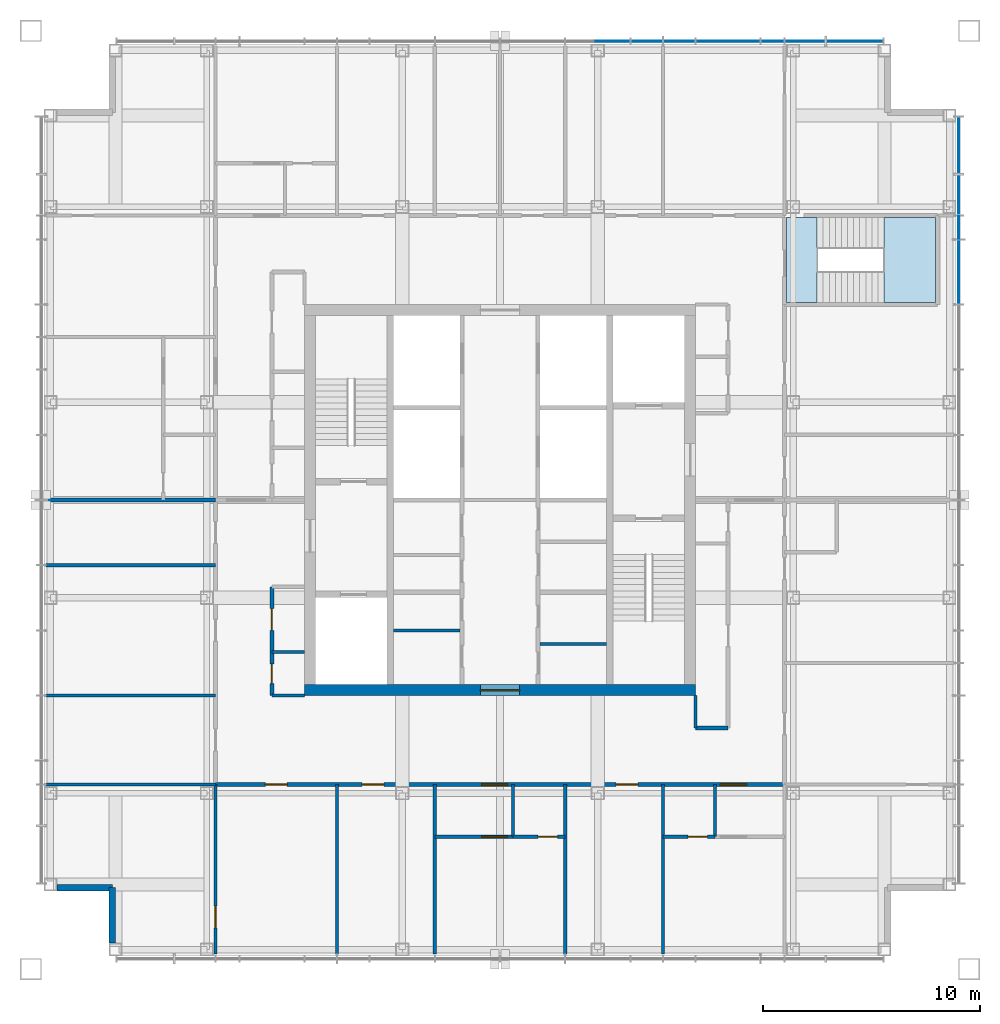
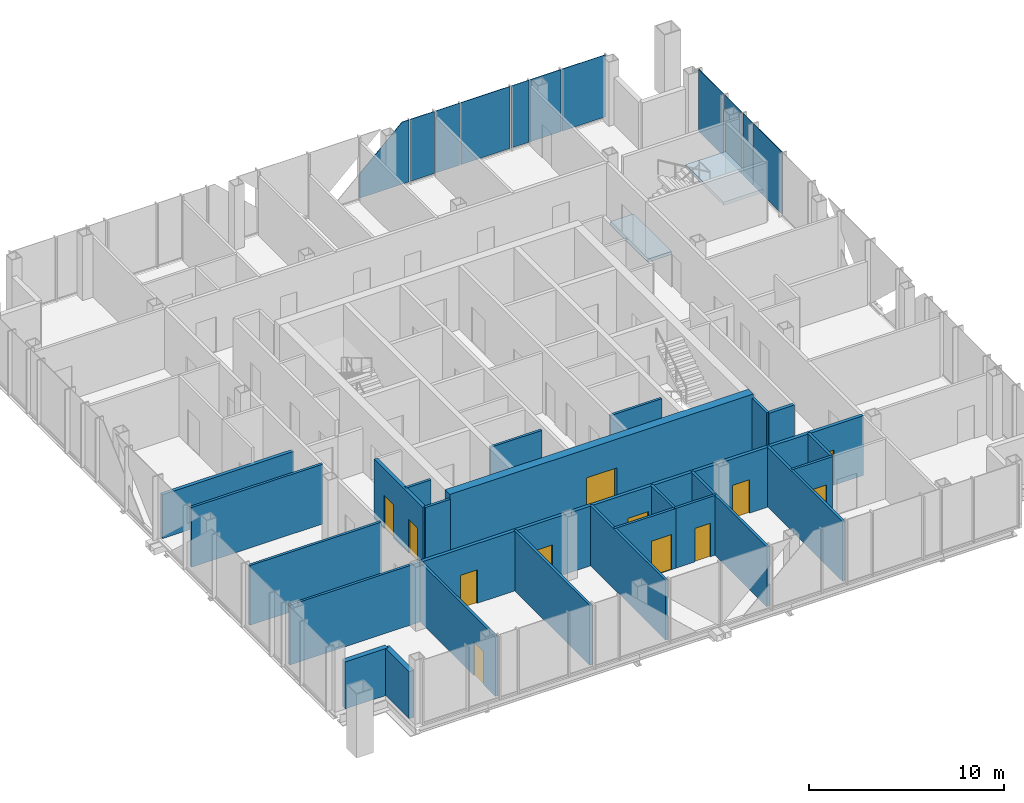
# One storey, part 7 of 12: 25 walls, 12 doors, 11 plates, 2 slabs, 12 openings, 3 elements without a shape of their own.
"""IFC4 building model written with IfcOpenShell, lengths in metres."""

import ifcopenshell
import ifcopenshell.guid

model = None  # the IFC model being written
_history = None  # IfcOwnerHistory: only IFC2X3 demands one
_inside = {}  # id of a spatial element -> (the spatial element, [elements in it])
_under = {}  # id of a project, library or spatial element -> (it, [spatial elements below it])
_declared = {}  # id of a project -> (the project, [libraries it declares])
_typed = {}  # id of a type object -> (the type object, [elements of that type])
_made_of = {}  # id of a material, layer set ... -> (it, [elements and type objects made of it])


def new_model(schema):
    """Start an empty IFC model of exactly this schema.

    Asked for "IFC4X3", IfcOpenShell would pick the latest addendum, in which some entities
    have other attributes; the version numbers below select the first issue.
    IFC2X3 requires an IfcOwnerHistory on every rooted entity: one is made here for all.
    """
    global model, _history
    if schema == "IFC4X3":
        model = ifcopenshell.file(schema_version=(4, 3, 0, 0))
    else:
        model = ifcopenshell.file(schema=schema)
    _inside.clear()
    _under.clear()
    _declared.clear()
    _typed.clear()
    _made_of.clear()
    _history = None
    if model.schema == "IFC2X3":
        org = make("IfcOrganization", Name="unknown")
        user = make(
            "IfcPersonAndOrganization",
            ThePerson=make("IfcPerson", FamilyName="unknown"),
            TheOrganization=org,
        )
        app = make(
            "IfcApplication",
            ApplicationDeveloper=org,
            Version="unknown",
            ApplicationFullName="unknown",
            ApplicationIdentifier="unknown",
        )
        _history = make(
            "IfcOwnerHistory",
            OwningUser=user,
            OwningApplication=app,
            ChangeAction="ADDED",
            CreationDate=0,
        )
    return model


def make(cls, **values):
    """One entity of the class cls with the attributes given. An attribute that is None is left unset."""
    return model.create_entity(
        cls, **{name: value for name, value in values.items() if value is not None}
    )


def rooted(cls, **values):
    """An entity with a GlobalId (a new one), such as an element, a storey or a relation."""
    return make(cls, GlobalId=ifcopenshell.guid.new(), OwnerHistory=_history, **values)


def si_unit(unit_type, name, prefix=None):
    """IfcSIUnit, for example si_unit("LENGTHUNIT", "METRE", prefix="MILLI")."""
    return make("IfcSIUnit", UnitType=unit_type, Prefix=prefix, Name=name)


def assignment(units):
    """IfcUnitAssignment: the units of a project."""
    return None if units is None else make("IfcUnitAssignment", Units=units)


def point(xyz):
    """IfcCartesianPoint."""
    return None if xyz is None else make("IfcCartesianPoint", Coordinates=xyz)


def direction(xyz):
    """IfcDirection."""
    return None if xyz is None else make("IfcDirection", DirectionRatios=xyz)


def frame(location, z_axis=None, x_axis=None):
    """IfcAxis2Placement3D, a coordinate frame: its origin and axes. An axis left out is left unset."""
    return make(
        "IfcAxis2Placement3D",
        Location=point(location),
        Axis=direction(z_axis),
        RefDirection=direction(x_axis),
    )


def frame_2d(location, x_axis=None):
    """IfcAxis2Placement2D, a coordinate frame in the plane: its origin and x axis."""
    return make(
        "IfcAxis2Placement2D", Location=point(location), RefDirection=direction(x_axis)
    )


def origin():
    """The frame at (0, 0, 0) with its axes left unset."""
    return frame((0.0, 0.0, 0.0))


def origin_2d():
    """The frame at (0, 0) in the plane with its x axis left unset."""
    return frame_2d((0.0, 0.0))


def place(relative_to, where):
    """IfcLocalPlacement: puts the frame where relative to a parent placement (None: the world)."""
    return make(
        "IfcLocalPlacement", PlacementRelTo=relative_to, RelativePlacement=where
    )


def context(
    kind, dimensions, precision=None, world=None, true_north=None, identifier=None
):
    """IfcGeometricRepresentationContext, for example the 3D "Model" context."""
    return make(
        "IfcGeometricRepresentationContext",
        ContextIdentifier=identifier,
        ContextType=kind,
        CoordinateSpaceDimension=dimensions,
        Precision=precision,
        WorldCoordinateSystem=world,
        TrueNorth=true_north,
    )


def subcontext(parent, identifier, kind, view, scale=None):
    """IfcGeometricRepresentationSubContext, for example "Body" below "Model"."""
    return make(
        "IfcGeometricRepresentationSubContext",
        ContextIdentifier=identifier,
        ContextType=kind,
        ParentContext=parent,
        TargetScale=scale,
        TargetView=view,
    )


def project(units=None, contexts=None):
    """IfcProject with its units and contexts."""
    return rooted(
        "IfcProject",
        Name="project",
        RepresentationContexts=contexts,
        UnitsInContext=assignment(units),
    )


def spatial(cls, under=None, at=None, **own):
    """A site, building, storey or space (cls), placed at a placement, below another one or the project."""
    s = rooted(cls, ObjectPlacement=at, **own)
    if under is not None:
        _under.setdefault(under.id(), (under, []))[1].append(s)
    return s


def polyline(points):
    """IfcPolyline through the points."""
    return make("IfcPolyline", Points=[point(p) for p in points])


def profile(cls, at=None, kind="AREA", **sizes):
    """A parametric profile (cls). Its sizes go by their IFC names, for example OverallWidth=200.0."""
    return make(cls, ProfileType=kind, Position=at, **sizes)


def rectangle(**sizes):
    """IfcRectangleProfileDef."""
    return profile("IfcRectangleProfileDef", **sizes)


def outline(outer, holes=None, kind="AREA"):
    """IfcArbitraryClosedProfileDef: a profile drawn as a closed curve; with holes, ...WithVoids."""
    if holes is None:
        return make("IfcArbitraryClosedProfileDef", ProfileType=kind, OuterCurve=outer)
    return make(
        "IfcArbitraryProfileDefWithVoids",
        ProfileType=kind,
        OuterCurve=outer,
        InnerCurves=holes,
    )


def extrude(swept, where, along, depth):
    """IfcExtrudedAreaSolid: the profile swept, set in the frame where, extruded along a direction by depth."""
    return make(
        "IfcExtrudedAreaSolid",
        SweptArea=swept,
        Position=where,
        ExtrudedDirection=direction(along),
        Depth=depth,
    )


def shape(context_of_items, identifier, shape_type, items):
    """IfcShapeRepresentation: the items that make up one representation, for example the "Body"."""
    return make(
        "IfcShapeRepresentation",
        ContextOfItems=context_of_items,
        RepresentationIdentifier=identifier,
        RepresentationType=shape_type,
        Items=items,
    )


def material(Name=None, Category=None):
    """IfcMaterial."""
    return make("IfcMaterial", Name=Name, Category=Category)


def layer(
    of_material, thickness, ventilated=None, Name=None, Category=None, Priority=None
):
    """IfcMaterialLayer: one layer of a wall or slab, of a material (None: an air gap)."""
    return make(
        "IfcMaterialLayer",
        Material=of_material,
        LayerThickness=thickness,
        IsVentilated=ventilated,
        Name=Name,
        Category=Category,
        Priority=Priority,
    )


def layer_set(layers, Name=None):
    """IfcMaterialLayerSet."""
    return make("IfcMaterialLayerSet", MaterialLayers=layers, LayerSetName=Name)


def made_of(thing, what):
    """Note that an element or type object is made of a material, layer set ...; save() writes the relation."""
    if what is not None:
        _made_of.setdefault(what.id(), (what, []))[1].append(thing)
    return thing


def type_object(cls, material=None, **own):
    """A type object (cls), such as IfcWallType, which elements share."""
    return made_of(rooted(cls, **own), material)


def element(
    cls,
    number,
    at=None,
    inside=None,
    cuts=None,
    type_object=None,
    material=None,
    context=None,
    identifier="Body",
    shape_type=None,
    held_by="IfcProductDefinitionShape",
    body=None,
    shapes=None,
    **own,
):
    """One element of the class cls, such as IfcWall. Its Tag is "e" and its number.

    at: its placement. inside: the storey or other place that contains it. cuts: it is an
    opening in that element (IfcRelVoidsElement). A single representation is given by context,
    identifier, shape_type and body (its items); several are given by shapes. held_by: the class
    of the entity that holds the representations. save() writes the other relations.
    """
    e = rooted(cls, Tag="e%d" % number, ObjectPlacement=at, **own)
    if body is not None:
        shapes = [shape(context, identifier, shape_type, body)]
    if shapes is not None:
        e.Representation = make(held_by, Representations=shapes)
    if inside is not None:
        _inside.setdefault(inside.id(), (inside, []))[1].append(e)
    if cuts is not None:
        rooted(
            "IfcRelVoidsElement", RelatingBuildingElement=cuts, RelatedOpeningElement=e
        )
    if type_object is not None:
        _typed.setdefault(type_object.id(), (type_object, []))[1].append(e)
    return made_of(e, material)


def fill(opening, filler):
    """IfcRelFillsElement: the door or window that sits in an opening."""
    return rooted(
        "IfcRelFillsElement",
        RelatingOpeningElement=opening,
        RelatedBuildingElement=filler,
    )


def aggregate(whole, parts):
    """IfcRelAggregates: a whole, such as a stair, and the parts it consists of."""
    return rooted("IfcRelAggregates", RelatingObject=whole, RelatedObjects=parts)


def save(model, path):
    """Write the relations noted so far, then the file.

    IfcRelAggregates (storeys below a building ...), IfcRelContainedInSpatialStructure (elements
    in a storey), IfcRelDefinesByType, IfcRelAssociatesMaterial and IfcRelDeclares: one each for
    every whole, place, type object, material and project.
    """
    for whole, parts in _under.values():
        aggregate(whole, parts)
    for where, things in _inside.values():
        rooted(
            "IfcRelContainedInSpatialStructure",
            RelatedElements=things,
            RelatingStructure=where,
        )
    for kind, things in _typed.values():
        rooted("IfcRelDefinesByType", RelatedObjects=things, RelatingType=kind)
    for what, things in _made_of.values():
        rooted("IfcRelAssociatesMaterial", RelatedObjects=things, RelatingMaterial=what)
    for by, libraries in _declared.values():
        rooted("IfcRelDeclares", RelatingContext=by, RelatedDefinitions=libraries)
    model.write(path)


model = new_model("IFC4")

# Units and contexts
model_context = context("Model", 3, precision=1e-05, world=origin(), true_north=direction((0.0, 1.0)))
body_context = subcontext(model_context, "Body", "Model", "MODEL_VIEW")
ifc_project = project(units=[si_unit("LENGTHUNIT", "METRE"), si_unit("AREAUNIT", "SQUARE_METRE"), si_unit("VOLUMEUNIT", "CUBIC_METRE"), si_unit("PLANEANGLEUNIT", "RADIAN"), si_unit("MASSUNIT", "GRAM", prefix="KILO")], contexts=[model_context])

# Site, building, storey
site_placement = place(None, origin())
site = spatial("IfcSite", under=ifc_project, at=site_placement, CompositionType="ELEMENT")
building_placement = place(site_placement, origin())
building = spatial("IfcBuilding", under=site, at=building_placement, Name="Malebo Sky Hospital", CompositionType="ELEMENT")
storey_placement = place(building_placement, frame((0.0, 0.0, 270.0)))
storey = spatial("IfcBuildingStorey", under=building, at=storey_placement, Name="L65", CompositionType="ELEMENT", Elevation=270.0)

# Stair, slabs
ifc_material_1 = material(Name="Concrete C40/50", Category="concrete")
stair_type = type_object("IfcStairType", Name="HALF-TURN STAIR 1400 R167", PredefinedType="HALF_TURN_STAIR", material=ifc_material_1)
stair_placement = place(storey_placement, origin())
stair = element("IfcStair", 1, at=stair_placement, inside=storey, type_object=stair_type, Name="Stair S3 L65 type ST1B", PredefinedType="HALF_TURN_STAIR")
ifc_layer_1 = layer(ifc_material_1, 0.199951171875)
ifc_layer_set_1 = layer_set([ifc_layer_1], Name="STAIR LANDING 200")
slab_type = type_object("IfcSlabType", Name="STAIR LANDING 200", PredefinedType="LANDING", material=ifc_layer_set_1)
slab_1_placement = place(storey_placement, frame((0.0, 0.0, -0.199951171875)))
slab_1 = element("IfcSlab", 2, at=slab_1_placement, type_object=slab_type, Name="S3 landing 1", PredefinedType="LANDING", context=body_context, shape_type="SweptSolid", body=[
    extrude(outline(polyline([(73.199951171875, 71.10009765625), (73.199951171875, 75.0), (74.60009765625, 75.0), (74.60009765625, 71.10009765625), (73.199951171875, 71.10009765625)])), origin(), (0.0, 0.0, 1.0), 0.199951171875),
])
slab_2_placement = place(storey_placement, frame((0.0, 0.0, 1.800048828125)))
slab_2 = element("IfcSlab", 3, at=slab_2_placement, type_object=slab_type, Name="S3 landing 2", PredefinedType="LANDING", context=body_context, shape_type="SweptSolid", body=[
    extrude(outline(polyline([(77.679931640625, 71.10009765625), (77.679931640625, 75.0), (80.050048828125, 75.0), (80.050048828125, 71.10009765625), (77.679931640625, 71.10009765625)])), origin(), (0.0, 0.0, 1.0), 0.199951171875),
])
aggregate(stair, [slab_1, slab_2])

# Curtain wall, plates
ifc_material_2 = material(Name="Anodised aluminium, natural silver", Category="aluminium")
ifc_layer_2 = layer(ifc_material_2, 0.25)
ifc_layer_set_2 = layer_set([ifc_layer_2], Name="WARD CURTAIN WALL NORTH AND SOUTH")
curtain_wall_type_1 = type_object("IfcCurtainWallType", Name="WARD CURTAIN WALL NORTH AND SOUTH", PredefinedType="NOTDEFINED", material=ifc_layer_set_2)
curtain_wall_1_placement = place(storey_placement, origin())
curtain_wall_1 = element("IfcCurtainWall", 4, at=curtain_wall_1_placement, inside=storey, type_object=curtain_wall_type_1, Name="NS curtain wall N", PredefinedType="NOTDEFINED")
ifc_material_3 = material(Name="Clear low-iron double glazing", Category="glass")
ifc_layer_3 = layer(ifc_material_3, 0.031982421875)
ifc_layer_set_3 = layer_set([ifc_layer_3], Name="VISION PANEL CLEAR 32")
plate_type = type_object("IfcPlateType", Name="VISION PANEL CLEAR 32", PredefinedType="CURTAIN_PANEL", material=ifc_layer_set_3)
plate_1_placement = place(storey_placement, frame((64.5, 83.125, 0.10009765625), z_axis=(0.0, 0.0, 1.0), x_axis=(1.0, 0.0, 0.0)))
plate_1 = element("IfcPlate", 5, at=plate_1_placement, type_object=plate_type, Name="Panel 10", PredefinedType="CURTAIN_PANEL", context=body_context, shape_type="SweptSolid", body=[
    extrude(outline(polyline([(-1.46240234375, 0.0), (1.46240234375, 0.0), (1.46240234375, 3.889892578125), (1.05126953125, 3.889892578125), (-1.46240234375, 1.5361328125), (-1.46240234375, 0.0)])), frame((0.0, 0.01611328125, 0.0), z_axis=(0.0, -1.0, 0.0), x_axis=(1.0, 0.0, 0.0)), (0.0, 0.0, 1.0), 0.031982421875),
])
plate_2_placement = place(storey_placement, frame((66.75, 83.125, 0.10009765625), z_axis=(0.0, 0.0, 1.0), x_axis=(1.0, 0.0, 0.0)))
plate_2 = element("IfcPlate", 6, at=plate_2_placement, type_object=plate_type, Name="Panel 11", PredefinedType="CURTAIN_PANEL", context=body_context, shape_type="SweptSolid", body=[
    extrude(rectangle(XDim=1.425048828125, YDim=0.031982421875, at=origin_2d()), origin(), (0.0, 0.0, 1.0), 3.889892578125),
])
plate_3_placement = place(storey_placement, frame((68.25, 83.125, 0.10009765625), z_axis=(0.0, 0.0, 1.0), x_axis=(1.0, 0.0, 0.0)))
plate_3 = element("IfcPlate", 7, at=plate_3_placement, type_object=plate_type, Name="Panel 12", PredefinedType="CURTAIN_PANEL", context=body_context, shape_type="SweptSolid", body=[
    extrude(rectangle(XDim=1.425048828125, YDim=0.031982421875, at=origin_2d()), origin(), (0.0, 0.0, 1.0), 3.889892578125),
])
plate_4_placement = place(storey_placement, frame((70.5, 83.125, 0.10009765625), z_axis=(0.0, 0.0, 1.0), x_axis=(1.0, 0.0, 0.0)))
plate_4 = element("IfcPlate", 8, at=plate_4_placement, type_object=plate_type, Name="Panel 13", PredefinedType="CURTAIN_PANEL", context=body_context, shape_type="SweptSolid", body=[
    extrude(rectangle(XDim=2.925048828125, YDim=0.031982421875, at=origin_2d()), origin(), (0.0, 0.0, 1.0), 3.889892578125),
])
plate_5_placement = place(storey_placement, frame((72.550048828125, 83.125, 0.10009765625), z_axis=(0.0, 0.0, 1.0), x_axis=(1.0, 0.0, 0.0)))
plate_5 = element("IfcPlate", 9, at=plate_5_placement, type_object=plate_type, Name="Panel 14", PredefinedType="CURTAIN_PANEL", context=body_context, shape_type="SweptSolid", body=[
    extrude(rectangle(XDim=1.02490234375, YDim=0.031982421875, at=origin_2d()), origin(), (0.0, 0.0, 1.0), 3.889892578125),
])
plate_6_placement = place(storey_placement, frame((74.050048828125, 83.125, 0.10009765625), z_axis=(0.0, 0.0, 1.0), x_axis=(1.0, 0.0, 0.0)))
plate_6 = element("IfcPlate", 10, at=plate_6_placement, type_object=plate_type, Name="Panel 15", PredefinedType="CURTAIN_PANEL", context=body_context, shape_type="SweptSolid", body=[
    extrude(rectangle(XDim=1.824951171875, YDim=0.031982421875, at=origin_2d()), origin(), (0.0, 0.0, 1.0), 3.889892578125),
])
plate_7_placement = place(storey_placement, frame((76.331298828125, 83.125, 0.10009765625), z_axis=(0.0, 0.0, 1.0), x_axis=(1.0, 0.0, 0.0)))
plate_7 = element("IfcPlate", 11, at=plate_7_placement, type_object=plate_type, Name="Panel 16", PredefinedType="CURTAIN_PANEL", context=body_context, shape_type="SweptSolid", body=[
    extrude(rectangle(XDim=2.58740234375, YDim=0.031982421875, at=origin_2d()), origin(), (0.0, 0.0, 1.0), 3.889892578125),
])
aggregate(curtain_wall_1, [plate_1, plate_2, plate_3, plate_4, plate_5, plate_6, plate_7])

ifc_layer_4 = layer(ifc_material_2, 0.25)
ifc_layer_set_4 = layer_set([ifc_layer_4], Name="WARD CURTAIN WALL EAST AND WEST")
curtain_wall_type_2 = type_object("IfcCurtainWallType", Name="WARD CURTAIN WALL EAST AND WEST", PredefinedType="NOTDEFINED", material=ifc_layer_set_4)
curtain_wall_2_placement = place(storey_placement, origin())
curtain_wall_2 = element("IfcCurtainWall", 12, at=curtain_wall_2_placement, inside=storey, type_object=curtain_wall_type_2, Name="EW curtain wall E", PredefinedType="NOTDEFINED")
plate_8_placement = place(storey_placement, frame((81.125, 78.331298828125, 0.10009765625), z_axis=(0.0, 0.0, 1.0), x_axis=(0.0, -1.0, 0.0)))
plate_8 = element("IfcPlate", 13, at=plate_8_placement, type_object=plate_type, Name="Panel 1", PredefinedType="CURTAIN_PANEL", context=body_context, shape_type="SweptSolid", body=[
    extrude(rectangle(XDim=2.58740234375, YDim=0.031982421875, at=origin_2d()), origin(), (0.0, 0.0, 1.0), 3.889892578125),
])
plate_9_placement = place(storey_placement, frame((81.125, 76.050048828125, 0.10009765625), z_axis=(0.0, 0.0, 1.0), x_axis=(0.0, -1.0, 0.0)))
plate_9 = element("IfcPlate", 14, at=plate_9_placement, type_object=plate_type, Name="Panel 2", PredefinedType="CURTAIN_PANEL", context=body_context, shape_type="SweptSolid", body=[
    extrude(rectangle(XDim=1.824951171875, YDim=0.031982421875, at=origin_2d()), origin(), (0.0, 0.0, 1.0), 3.889892578125),
])
plate_10_placement = place(storey_placement, frame((81.125, 74.550048828125, 0.10009765625), z_axis=(0.0, 0.0, 1.0), x_axis=(0.0, -1.0, 0.0)))
plate_10 = element("IfcPlate", 15, at=plate_10_placement, type_object=plate_type, Name="Panel 3", PredefinedType="CURTAIN_PANEL", context=body_context, shape_type="SweptSolid", body=[
    extrude(rectangle(XDim=1.02490234375, YDim=0.031982421875, at=origin_2d()), origin(), (0.0, 0.0, 1.0), 3.889892578125),
])
plate_11_placement = place(storey_placement, frame((81.125, 72.5, 0.10009765625), z_axis=(0.0, 0.0, 1.0), x_axis=(0.0, -1.0, 0.0)))
plate_11 = element("IfcPlate", 16, at=plate_11_placement, type_object=plate_type, Name="Panel 4", PredefinedType="CURTAIN_PANEL", context=body_context, shape_type="SweptSolid", body=[
    extrude(rectangle(XDim=2.925048828125, YDim=0.031982421875, at=origin_2d()), origin(), (0.0, 0.0, 1.0), 3.889892578125),
])
aggregate(curtain_wall_2, [plate_8, plate_9, plate_10, plate_11])

# Wall, opening, door
ifc_material_4 = material(Name="Concrete C80/95", Category="concrete")
ifc_layer_5 = layer(ifc_material_4, 0.5)
ifc_layer_set_5 = layer_set([ifc_layer_5], Name="CORE WALL 500")
wall_type_1 = type_object("IfcWallType", Name="CORE WALL 500", PredefinedType="SHEAR", material=ifc_layer_set_5)
wall_1_placement = place(storey_placement, frame((51.0, 53.25, 0.0), z_axis=(0.0, 0.0, 1.0), x_axis=(1.0, 0.0, 0.0)))
wall_1 = element("IfcWall", 17, at=wall_1_placement, inside=storey, type_object=wall_type_1, Name="Core wall S L65", PredefinedType="SHEAR", context=body_context, shape_type="SweptSolid", body=[
    extrude(rectangle(XDim=18.0, YDim=0.5, at=frame_2d((9.0, 0.0))), origin(), (0.0, 0.0, 1.0), 4.0),
])
opening_1_placement = place(wall_1_placement, frame((8.10009765625, 0.0, 0.0)))
opening_1 = element("IfcOpeningElement", 18, at=opening_1_placement, cuts=wall_1, Name="Opening D06", PredefinedType="OPENING", context=body_context, shape_type="SweptSolid", body=[
    extrude(rectangle(XDim=1.800048828125, YDim=2.199951171875, at=frame_2d((0.89990234375, 1.10009765625))), frame((0.0, 0.260009765625, 0.0), z_axis=(0.0, -1.0, 0.0), x_axis=(1.0, 0.0, 0.0)), (0.0, 0.0, 1.0), 0.52001953125),
])
ifc_material_5 = material(Name="Hardwood-faced door leaf in steel frame", Category="steel")
door_type_1 = type_object("IfcDoorType", Name="LOBBY DOOR PAIR 1800", OperationType="DOUBLE_DOOR_SINGLE_SWING", PredefinedType="DOOR", material=ifc_material_5)
door_1_placement = place(opening_1_placement, origin())
door_1 = element("IfcDoor", 19, at=door_1_placement, inside=storey, type_object=door_type_1, Name="Service lobby door south", OperationType="DOUBLE_DOOR_SINGLE_SWING", OverallHeight=2.199951171875, OverallWidth=1.800048828125, PredefinedType="DOOR", context=body_context, shape_type="SweptSolid", body=[
    extrude(rectangle(XDim=1.800048828125, YDim=2.199951171875, at=frame_2d((0.89990234375, 1.10009765625))), frame((0.0, 0.02490234375, 0.0), z_axis=(0.0, -1.0, 0.0), x_axis=(1.0, 0.0, 0.0)), (0.0, 0.0, 1.0), 0.050048828125),
])
fill(opening_1, door_1)

# Wall, openings, doors
ifc_material_6 = material(Name="Gypsum board on steel studs", Category="steel")
ifc_layer_6 = layer(ifc_material_6, 0.199951171875)
ifc_layer_set_6 = layer_set([ifc_layer_6], Name="CORRIDOR WALL 200")
wall_type_2 = type_object("IfcWallType", Name="CORRIDOR WALL 200", PredefinedType="PARTITIONING", material=ifc_layer_set_6)
wall_2_placement = place(storey_placement, frame((49.5, 53.0, 0.0), z_axis=(0.0, 0.0, 1.0), x_axis=(0.0, 1.0, 0.0)))
wall_2 = element("IfcWall", 20, at=wall_2_placement, inside=storey, type_object=wall_type_2, Name="Corridor Wall 200 WCI1", PredefinedType="PARTITIONING", context=body_context, shape_type="SweptSolid", body=[
    extrude(rectangle(XDim=5.0, YDim=0.199951171875, at=frame_2d((2.5, 0.0))), origin(), (0.0, 0.0, 1.0), 3.75),
])
opening_2_placement = place(wall_2_placement, frame((0.550048828125, 0.0, 0.0)))
opening_2 = element("IfcOpeningElement", 21, at=opening_2_placement, cuts=wall_2, Name="Opening D04", PredefinedType="OPENING", context=body_context, shape_type="SweptSolid", body=[
    extrude(rectangle(XDim=0.89990234375, YDim=2.10009765625, at=frame_2d((0.449951171875, 1.050048828125))), frame((0.0, 0.10986328125, 0.0), z_axis=(0.0, -1.0, 0.0), x_axis=(1.0, 0.0, 0.0)), (0.0, 0.0, 1.0), 0.219970703125),
])
opening_3_placement = place(wall_2_placement, frame((3.0, 0.0, 0.0)))
opening_3 = element("IfcOpeningElement", 22, at=opening_3_placement, cuts=wall_2, Name="Opening D03", PredefinedType="OPENING", context=body_context, shape_type="SweptSolid", body=[
    extrude(rectangle(XDim=1.0, YDim=2.10009765625, at=frame_2d((0.5, 1.050048828125))), frame((0.0, 0.10986328125, 0.0), z_axis=(0.0, -1.0, 0.0), x_axis=(1.0, 0.0, 0.0)), (0.0, 0.0, 1.0), 0.219970703125),
])
door_type_2 = type_object("IfcDoorType", Name="ROOM DOOR 1000", OperationType="SINGLE_SWING_LEFT", PredefinedType="DOOR", material=ifc_material_5)
door_2_placement = place(opening_3_placement, origin())
door_2 = element("IfcDoor", 23, at=door_2_placement, inside=storey, type_object=door_type_2, Name="Linen store door", OperationType="SINGLE_SWING_LEFT", OverallHeight=2.10009765625, OverallWidth=1.0, PredefinedType="DOOR", context=body_context, shape_type="SweptSolid", body=[
    extrude(rectangle(XDim=1.0, YDim=2.10009765625, at=frame_2d((0.5, 1.050048828125))), frame((0.0, 0.02490234375, 0.0), z_axis=(0.0, -1.0, 0.0), x_axis=(1.0, 0.0, 0.0)), (0.0, 0.0, 1.0), 0.050048828125),
])
fill(opening_3, door_2)
door_type_3 = type_object("IfcDoorType", Name="ROOM DOOR 900", OperationType="SINGLE_SWING_LEFT", PredefinedType="DOOR", material=ifc_material_5)
door_3_placement = place(opening_2_placement, origin())
door_3 = element("IfcDoor", 24, at=door_3_placement, inside=storey, type_object=door_type_3, Name="Staff WC door", OperationType="SINGLE_SWING_LEFT", OverallHeight=2.10009765625, OverallWidth=0.89990234375, PredefinedType="DOOR", context=body_context, shape_type="SweptSolid", body=[
    extrude(rectangle(XDim=0.89990234375, YDim=2.10009765625, at=frame_2d((0.449951171875, 1.050048828125))), frame((0.0, 0.02490234375, 0.0), z_axis=(0.0, -1.0, 0.0), x_axis=(1.0, 0.0, 0.0)), (0.0, 0.0, 1.0), 0.050048828125),
])
fill(opening_2, door_3)

wall_3_placement = place(storey_placement, frame((73.10009765625, 48.89990234375, 0.0), z_axis=(0.0, 0.0, 1.0), x_axis=(-1.0, 0.0, 0.0)))
wall_3 = element("IfcWall", 25, at=wall_3_placement, inside=storey, type_object=wall_type_2, Name="Corridor Wall 200 SCO", PredefinedType="PARTITIONING", context=body_context, shape_type="SweptSolid", body=[
    extrude(rectangle(XDim=26.2001953125, YDim=0.199951171875, at=frame_2d((13.10009765625, 0.0))), origin(), (0.0, 0.0, 1.0), 3.75),
])
opening_4_placement = place(wall_3_placement, frame((1.75, 0.0, 0.0)))
opening_4 = element("IfcOpeningElement", 26, at=opening_4_placement, cuts=wall_3, Name="Opening D18", PredefinedType="OPENING", context=body_context, shape_type="SweptSolid", body=[
    extrude(rectangle(XDim=1.199951171875, YDim=2.199951171875, at=frame_2d((0.60009765625, 1.10009765625))), frame((0.0, 0.10986328125, 0.0), z_axis=(0.0, -1.0, 0.0), x_axis=(1.0, 0.0, 0.0)), (0.0, 0.0, 1.0), 0.219970703125),
])
opening_5_placement = place(wall_3_placement, frame((6.75, 0.0, 0.0)))
opening_5 = element("IfcOpeningElement", 27, at=opening_5_placement, cuts=wall_3, Name="Opening D03", PredefinedType="OPENING", context=body_context, shape_type="SweptSolid", body=[
    extrude(rectangle(XDim=1.0, YDim=2.10009765625, at=frame_2d((0.5, 1.050048828125))), frame((0.0, 0.10986328125, 0.0), z_axis=(0.0, -1.0, 0.0), x_axis=(1.0, 0.0, 0.0)), (0.0, 0.0, 1.0), 0.219970703125),
])
opening_6_placement = place(wall_3_placement, frame((12.75, 0.0, 0.0)))
opening_6 = element("IfcOpeningElement", 28, at=opening_6_placement, cuts=wall_3, Name="Opening D18", PredefinedType="OPENING", context=body_context, shape_type="SweptSolid", body=[
    extrude(rectangle(XDim=1.199951171875, YDim=2.199951171875, at=frame_2d((0.60009765625, 1.10009765625))), frame((0.0, 0.10986328125, 0.0), z_axis=(0.0, -1.0, 0.0), x_axis=(1.0, 0.0, 0.0)), (0.0, 0.0, 1.0), 0.219970703125),
])
opening_7_placement = place(wall_3_placement, frame((18.449951171875, 0.0, 0.0)))
opening_7 = element("IfcOpeningElement", 29, at=opening_7_placement, cuts=wall_3, Name="Opening D03", PredefinedType="OPENING", context=body_context, shape_type="SweptSolid", body=[
    extrude(rectangle(XDim=1.0, YDim=2.10009765625, at=frame_2d((0.5, 1.050048828125))), frame((0.0, 0.10986328125, 0.0), z_axis=(0.0, -1.0, 0.0), x_axis=(1.0, 0.0, 0.0)), (0.0, 0.0, 1.0), 0.219970703125),
])
opening_8_placement = place(wall_3_placement, frame((22.89990234375, 0.0, 0.0)))
opening_8 = element("IfcOpeningElement", 30, at=opening_8_placement, cuts=wall_3, Name="Opening D03", PredefinedType="OPENING", context=body_context, shape_type="SweptSolid", body=[
    extrude(rectangle(XDim=1.0, YDim=2.10009765625, at=frame_2d((0.5, 1.050048828125))), frame((0.0, 0.10986328125, 0.0), z_axis=(0.0, -1.0, 0.0), x_axis=(1.0, 0.0, 0.0)), (0.0, 0.0, 1.0), 0.219970703125),
])
door_type_4 = type_object("IfcDoorType", Name="ANTEROOM DOOR 1200", OperationType="SINGLE_SWING_LEFT", PredefinedType="DOOR", material=ifc_material_5)
door_4_placement = place(opening_4_placement, origin())
door_4 = element("IfcDoor", 31, at=door_4_placement, inside=storey, type_object=door_type_4, Name="Anteroom door", OperationType="SINGLE_SWING_RIGHT", OverallHeight=2.199951171875, OverallWidth=1.199951171875, PredefinedType="DOOR", context=body_context, shape_type="SweptSolid", body=[
    extrude(rectangle(XDim=1.199951171875, YDim=2.199951171875, at=frame_2d((0.60009765625, 1.10009765625))), frame((0.0, 0.02490234375, 0.0), z_axis=(0.0, -1.0, 0.0), x_axis=(1.0, 0.0, 0.0)), (0.0, 0.0, 1.0), 0.050048828125),
])
fill(opening_4, door_4)
door_5_placement = place(opening_6_placement, origin())
door_5 = element("IfcDoor", 32, at=door_5_placement, inside=storey, type_object=door_type_4, Name="Anteroom door", OperationType="SINGLE_SWING_LEFT", OverallHeight=2.199951171875, OverallWidth=1.199951171875, PredefinedType="DOOR", context=body_context, shape_type="SweptSolid", body=[
    extrude(rectangle(XDim=1.199951171875, YDim=2.199951171875, at=frame_2d((0.60009765625, 1.10009765625))), frame((0.0, 0.02490234375, 0.0), z_axis=(0.0, -1.0, 0.0), x_axis=(1.0, 0.0, 0.0)), (0.0, 0.0, 1.0), 0.050048828125),
])
fill(opening_6, door_5)
door_6_placement = place(opening_5_placement, origin())
door_6 = element("IfcDoor", 33, at=door_6_placement, inside=storey, type_object=door_type_2, Name="Interview room door", OperationType="SINGLE_SWING_LEFT", OverallHeight=2.10009765625, OverallWidth=1.0, PredefinedType="DOOR", context=body_context, shape_type="SweptSolid", body=[
    extrude(rectangle(XDim=1.0, YDim=2.10009765625, at=frame_2d((0.5, 1.050048828125))), frame((0.0, 0.02490234375, 0.0), z_axis=(0.0, -1.0, 0.0), x_axis=(1.0, 0.0, 0.0)), (0.0, 0.0, 1.0), 0.050048828125),
])
fill(opening_5, door_6)
door_7_placement = place(opening_7_placement, origin())
door_7 = element("IfcDoor", 34, at=door_7_placement, inside=storey, type_object=door_type_2, Name="Relatives' overnight room door", OperationType="SINGLE_SWING_RIGHT", OverallHeight=2.10009765625, OverallWidth=1.0, PredefinedType="DOOR", context=body_context, shape_type="SweptSolid", body=[
    extrude(rectangle(XDim=1.0, YDim=2.10009765625, at=frame_2d((0.5, 1.050048828125))), frame((0.0, 0.02490234375, 0.0), z_axis=(0.0, -1.0, 0.0), x_axis=(1.0, 0.0, 0.0)), (0.0, 0.0, 1.0), 0.050048828125),
])
fill(opening_7, door_7)
door_8_placement = place(opening_8_placement, origin())
door_8 = element("IfcDoor", 35, at=door_8_placement, inside=storey, type_object=door_type_2, Name="Patient day room door", OperationType="SINGLE_SWING_RIGHT", OverallHeight=2.10009765625, OverallWidth=1.0, PredefinedType="DOOR", context=body_context, shape_type="SweptSolid", body=[
    extrude(rectangle(XDim=1.0, YDim=2.10009765625, at=frame_2d((0.5, 1.050048828125))), frame((0.0, 0.02490234375, 0.0), z_axis=(0.0, -1.0, 0.0), x_axis=(1.0, 0.0, 0.0)), (0.0, 0.0, 1.0), 0.050048828125),
])
fill(opening_8, door_8)

# Walls
wall_4_placement = place(storey_placement, frame((70.5, 51.5, 0.0), z_axis=(0.0, 0.0, 1.0), x_axis=(-1.0, 0.0, 0.0)))
element("IfcWall", 36, at=wall_4_placement, inside=storey, type_object=wall_type_2, Name="Corridor Wall 200 SCIK", PredefinedType="PARTITIONING", context=body_context, shape_type="SweptSolid", body=[
    extrude(rectangle(XDim=1.5, YDim=0.199951171875, at=frame_2d((0.75, 0.0))), origin(), (0.0, 0.0, 1.0), 3.75),
])
ifc_material_7 = material(Name="Anodised aluminium rainscreen on steel framing", Category="steel")
ifc_layer_7 = layer(ifc_material_7, 0.300048828125)
ifc_layer_set_7 = layer_set([ifc_layer_7], Name="NOTCH RAINSCREEN WALL 300")
wall_type_3 = type_object("IfcWallType", Name="NOTCH RAINSCREEN WALL 300", PredefinedType="ELEMENTEDWALL", material=ifc_layer_set_7)
for number, where, z_axis, x_axis, name in (
    (37, (42.14990234375, 41.60009765625, 0.0), (0.0, 0.0, 1.0), (0.0, 1.0, 0.0), "Notch rainscreen wall S1 L65"),
    (38, (42.14990234375, 44.14990234375, 0.0), (0.0, 0.0, 1.0), (-1.0, 0.0, 0.0), "Notch rainscreen wall S2 L65"),
):
    element("IfcWall", number, at=place(storey_placement, frame(where, z_axis=z_axis, x_axis=x_axis)), inside=storey, type_object=wall_type_3, Name=name, PredefinedType="ELEMENTEDWALL", context=body_context, shape_type="SweptSolid", body=[
        extrude(rectangle(XDim=2.5498046875, YDim=0.300048828125, at=frame_2d((1.27490234375, 0.0))), origin(), (0.0, 0.0, 1.0), 2.949951171875),
    ])
ifc_layer_8 = layer(ifc_material_6, 0.14990234375)
ifc_layer_set_8 = layer_set([ifc_layer_8], Name="PARTITION 150")
wall_type_4 = type_object("IfcWallType", Name="PARTITION 150", PredefinedType="PARTITIONING", material=ifc_layer_set_8)
for number, where, z_axis, x_axis, name in (
    (39, (46.89990234375, 53.0, 0.0), (0.0, 0.0, 1.0), (-1.0, 0.0, 0.0), "Partition 150 WP-9.0"),
    (40, (46.89990234375, 59.0, 0.0), (0.0, 0.0, 1.0), (-1.0, 0.0, 0.0), "Partition 150 WP-3.0"),
    (41, (46.89990234375, 48.89990234375, 0.0), (0.0, 0.0, 1.0), (-1.0, 0.0, 0.0), "Partition 150 WP0"),
):
    element("IfcWall", number, at=place(storey_placement, frame(where, z_axis=z_axis, x_axis=x_axis)), inside=storey, type_object=wall_type_4, Name=name, PredefinedType="PARTITIONING", context=body_context, shape_type="SweptSolid", body=[
        extrude(rectangle(XDim=7.7998046875, YDim=0.14990234375, at=frame_2d((3.89990234375, 0.0))), origin(), (0.0, 0.0, 1.0), 3.75),
    ])
for number, where, z_axis, x_axis, name in (
    (42, (51.0, 53.0, 0.0), (0.0, 0.0, 1.0), (-1.0, 0.0, 0.0), "Partition 150 WSP0"),
    (43, (51.0, 55.0, 0.0), (0.0, 0.0, 1.0), (-1.0, 0.0, 0.0), "Partition 150 WSP-7.0"),
):
    element("IfcWall", number, at=place(storey_placement, frame(where, z_axis=z_axis, x_axis=x_axis)), inside=storey, type_object=wall_type_4, Name=name, PredefinedType="PARTITIONING", context=body_context, shape_type="SweptSolid", body=[
        extrude(rectangle(XDim=1.5, YDim=0.14990234375, at=frame_2d((0.75, 0.0))), origin(), (0.0, 0.0, 1.0), 3.75),
    ])
for number, where, z_axis, x_axis, name in (
    (44, (67.5, 48.89990234375, 0.0), (0.0, 0.0, 1.0), (0.0, -1.0, 0.0), "Partition 150 SP-7.5"),
    (45, (63.0, 48.89990234375, 0.0), (0.0, 0.0, 1.0), (0.0, -1.0, 0.0), "Partition 150 SP-3.0"),
    (46, (57.0, 48.89990234375, 0.0), (0.0, 0.0, 1.0), (0.0, -1.0, 0.0), "Partition 150 SP+3.0"),
    (47, (52.5, 48.89990234375, 0.0), (0.0, 0.0, 1.0), (0.0, -1.0, 0.0), "Partition 150 SP+7.5"),
):
    element("IfcWall", number, at=place(storey_placement, frame(where, z_axis=z_axis, x_axis=x_axis)), inside=storey, type_object=wall_type_4, Name=name, PredefinedType="PARTITIONING", context=body_context, shape_type="SweptSolid", body=[
        extrude(rectangle(XDim=7.7998046875, YDim=0.14990234375, at=frame_2d((3.89990234375, 0.0))), origin(), (0.0, 0.0, 1.0), 3.75),
    ])

# Wall, opening, door
wall_5_placement = place(storey_placement, frame((69.89990234375, 46.5, 0.0), z_axis=(0.0, 0.0, 1.0), x_axis=(-1.0, 0.0, 0.0)))
wall_5 = element("IfcWall", 48, at=wall_5_placement, inside=storey, type_object=wall_type_4, Name="Partition 150 SE0F", PredefinedType="PARTITIONING", context=body_context, shape_type="SweptSolid", body=[
    extrude(rectangle(XDim=2.39990234375, YDim=0.14990234375, at=frame_2d((1.199951171875, 0.0))), origin(), (0.0, 0.0, 1.0), 3.75),
])
opening_9_placement = place(wall_5_placement, frame((0.35009765625, 0.0, 0.0)))
opening_9 = element("IfcOpeningElement", 49, at=opening_9_placement, cuts=wall_5, Name="Opening D02", PredefinedType="OPENING", context=body_context, shape_type="SweptSolid", body=[
    extrude(rectangle(XDim=0.89990234375, YDim=2.10009765625, at=frame_2d((0.449951171875, 1.050048828125))), frame((0.0, 0.0849609375, 0.0), z_axis=(0.0, -1.0, 0.0), x_axis=(1.0, 0.0, 0.0)), (0.0, 0.0, 1.0), 0.169921875),
])
door_type_5 = type_object("IfcDoorType", Name="EN-SUITE DOOR 900", OperationType="SINGLE_SWING_LEFT", PredefinedType="DOOR", material=ifc_material_5)
door_9_placement = place(opening_9_placement, origin())
door_9 = element("IfcDoor", 50, at=door_9_placement, inside=storey, type_object=door_type_5, Name="En-suite door", OperationType="SINGLE_SWING_LEFT", OverallHeight=2.10009765625, OverallWidth=0.89990234375, PredefinedType="DOOR", context=body_context, shape_type="SweptSolid", body=[
    extrude(rectangle(XDim=0.89990234375, YDim=2.10009765625, at=frame_2d((0.449951171875, 1.050048828125))), frame((0.0, 0.02490234375, 0.0), z_axis=(0.0, -1.0, 0.0), x_axis=(1.0, 0.0, 0.0)), (0.0, 0.0, 1.0), 0.050048828125),
])
fill(opening_9, door_9)

# Wall
wall_6_placement = place(storey_placement, frame((69.89990234375, 48.89990234375, 0.0), z_axis=(0.0, 0.0, 1.0), x_axis=(0.0, -1.0, 0.0)))
element("IfcWall", 51, at=wall_6_placement, inside=storey, type_object=wall_type_4, Name="Partition 150 SE0S", PredefinedType="PARTITIONING", context=body_context, shape_type="SweptSolid", body=[
    extrude(rectangle(XDim=2.39990234375, YDim=0.14990234375, at=frame_2d((1.199951171875, 0.0))), origin(), (0.0, 0.0, 1.0), 3.75),
])

# Wall, opening, door
wall_7_placement = place(storey_placement, frame((63.0, 46.5, 0.0), z_axis=(0.0, 0.0, 1.0), x_axis=(-1.0, 0.0, 0.0)))
wall_7 = element("IfcWall", 52, at=wall_7_placement, inside=storey, type_object=wall_type_4, Name="Partition 150 SE2F", PredefinedType="PARTITIONING", context=body_context, shape_type="SweptSolid", body=[
    extrude(rectangle(XDim=2.39990234375, YDim=0.14990234375, at=frame_2d((1.199951171875, 0.0))), origin(), (0.0, 0.0, 1.0), 3.75),
])
opening_10_placement = place(wall_7_placement, frame((0.35009765625, 0.0, 0.0)))
opening_10 = element("IfcOpeningElement", 53, at=opening_10_placement, cuts=wall_7, Name="Opening D02", PredefinedType="OPENING", context=body_context, shape_type="SweptSolid", body=[
    extrude(rectangle(XDim=0.89990234375, YDim=2.10009765625, at=frame_2d((0.449951171875, 1.050048828125))), frame((0.0, 0.0849609375, 0.0), z_axis=(0.0, -1.0, 0.0), x_axis=(1.0, 0.0, 0.0)), (0.0, 0.0, 1.0), 0.169921875),
])
door_10_placement = place(opening_10_placement, origin())
door_10 = element("IfcDoor", 54, at=door_10_placement, inside=storey, type_object=door_type_5, Name="En-suite door", OperationType="SINGLE_SWING_LEFT", OverallHeight=2.10009765625, OverallWidth=0.89990234375, PredefinedType="DOOR", context=body_context, shape_type="SweptSolid", body=[
    extrude(rectangle(XDim=0.89990234375, YDim=2.10009765625, at=frame_2d((0.449951171875, 1.050048828125))), frame((0.0, 0.02490234375, 0.0), z_axis=(0.0, -1.0, 0.0), x_axis=(1.0, 0.0, 0.0)), (0.0, 0.0, 1.0), 0.050048828125),
])
fill(opening_10, door_10)

# Wall
wall_8_placement = place(storey_placement, frame((60.60009765625, 48.89990234375, 0.0), z_axis=(0.0, 0.0, 1.0), x_axis=(0.0, -1.0, 0.0)))
element("IfcWall", 55, at=wall_8_placement, inside=storey, type_object=wall_type_4, Name="Partition 150 SE2S", PredefinedType="PARTITIONING", context=body_context, shape_type="SweptSolid", body=[
    extrude(rectangle(XDim=2.39990234375, YDim=0.14990234375, at=frame_2d((1.199951171875, 0.0))), origin(), (0.0, 0.0, 1.0), 3.75),
])

# Wall, opening, door
wall_9_placement = place(storey_placement, frame((46.89990234375, 48.89990234375, 0.0), z_axis=(0.0, 0.0, 1.0), x_axis=(0.0, -1.0, 0.0)))
wall_9 = element("IfcWall", 56, at=wall_9_placement, inside=storey, type_object=wall_type_4, Name="Partition 150 SK", PredefinedType="PARTITIONING", context=body_context, shape_type="SweptSolid", body=[
    extrude(rectangle(XDim=7.7998046875, YDim=0.14990234375, at=frame_2d((3.89990234375, 0.0))), origin(), (0.0, 0.0, 1.0), 3.75),
])
opening_11_placement = place(wall_9_placement, frame((5.60009765625, 0.0, 0.0)))
opening_11 = element("IfcOpeningElement", 57, at=opening_11_placement, cuts=wall_9, Name="Opening D03", PredefinedType="OPENING", context=body_context, shape_type="SweptSolid", body=[
    extrude(rectangle(XDim=1.0, YDim=2.10009765625, at=frame_2d((0.5, 1.050048828125))), frame((0.0, 0.0849609375, 0.0), z_axis=(0.0, -1.0, 0.0), x_axis=(1.0, 0.0, 0.0)), (0.0, 0.0, 1.0), 0.169921875),
])
door_11_placement = place(opening_11_placement, origin())
door_11 = element("IfcDoor", 58, at=door_11_placement, inside=storey, type_object=door_type_2, Name="Quiet room door", OperationType="SINGLE_SWING_RIGHT", OverallHeight=2.10009765625, OverallWidth=1.0, PredefinedType="DOOR", context=body_context, shape_type="SweptSolid", body=[
    extrude(rectangle(XDim=1.0, YDim=2.10009765625, at=frame_2d((0.5, 1.050048828125))), frame((0.0, 0.02490234375, 0.0), z_axis=(0.0, -1.0, 0.0), x_axis=(1.0, 0.0, 0.0)), (0.0, 0.0, 1.0), 0.050048828125),
])
fill(opening_11, door_11)

# Walls
wall_10_placement = place(storey_placement, frame((69.0, 53.0, 0.0), z_axis=(0.0, 0.0, 1.0), x_axis=(0.0, -1.0, 0.0)))
element("IfcWall", 59, at=wall_10_placement, inside=storey, type_object=wall_type_4, Name="Partition 150 SSP0", PredefinedType="PARTITIONING", context=body_context, shape_type="SweptSolid", body=[
    extrude(rectangle(XDim=1.5, YDim=0.14990234375, at=frame_2d((0.75, 0.0))), origin(), (0.0, 0.0, 1.0), 3.75),
])
for number, where, z_axis, x_axis, name in (
    (60, (55.10009765625, 55.989990234375, 0.0), (0.0, 0.0, 1.0), (1.0, 0.0, 0.0), "Partition 150 SHW1"),
    (61, (61.85009765625, 55.366943359375, 0.0), (0.0, 0.0, 1.0), (1.0, 0.0, 0.0), "Partition 150 SHE1"),
):
    element("IfcWall", number, at=place(storey_placement, frame(where, z_axis=z_axis, x_axis=x_axis)), inside=storey, type_object=wall_type_4, Name=name, PredefinedType="PARTITIONING", context=body_context, shape_type="SweptSolid", body=[
        extrude(rectangle(XDim=3.0498046875, YDim=0.14990234375, at=frame_2d((1.52490234375, 0.0))), origin(), (0.0, 0.0, 1.0), 3.75),
    ])

# Wall, opening, door
ifc_material_8 = material(Name="Sealed gypsum board on steel studs, taped to the slab", Category="steel")
ifc_layer_9 = layer(ifc_material_8, 0.14990234375)
ifc_layer_set_9 = layer_set([ifc_layer_9], Name="SEALED ISOLATION PARTITION 150")
wall_type_5 = type_object("IfcWallType", Name="SEALED ISOLATION PARTITION 150", PredefinedType="PARTITIONING", material=ifc_layer_set_9)
wall_11_placement = place(storey_placement, frame((60.60009765625, 46.5, 0.0), z_axis=(0.0, 0.0, 1.0), x_axis=(-1.0, 0.0, 0.0)))
wall_11 = element("IfcWall", 62, at=wall_11_placement, inside=storey, type_object=wall_type_5, Name="Sealed Isolation Partition 150 SA2F", PredefinedType="PARTITIONING", context=body_context, shape_type="SweptSolid", body=[
    extrude(rectangle(XDim=3.60009765625, YDim=0.14990234375, at=frame_2d((1.800048828125, 0.0))), origin(), (0.0, 0.0, 1.0), 3.75),
])
opening_12_placement = place(wall_11_placement, frame((0.25, 0.0, 0.0)))
opening_12 = element("IfcOpeningElement", 63, at=opening_12_placement, cuts=wall_11, Name="Opening D19", PredefinedType="OPENING", context=body_context, shape_type="SweptSolid", body=[
    extrude(rectangle(XDim=1.199951171875, YDim=2.199951171875, at=frame_2d((0.60009765625, 1.10009765625))), frame((0.0, 0.0849609375, 0.0), z_axis=(0.0, -1.0, 0.0), x_axis=(1.0, 0.0, 0.0)), (0.0, 0.0, 1.0), 0.169921875),
])
ifc_material_9 = material(Name="Hardwood-faced door leaf with perimeter seals in steel frame", Category="steel")
door_type_6 = type_object("IfcDoorType", Name="SEALED ISOLATION ROOM DOOR 1200", OperationType="SINGLE_SWING_LEFT", PredefinedType="DOOR", material=ifc_material_9)
door_12_placement = place(opening_12_placement, origin())
door_12 = element("IfcDoor", 64, at=door_12_placement, inside=storey, type_object=door_type_6, Name="Isolation room door", OperationType="SINGLE_SWING_LEFT", OverallHeight=2.199951171875, OverallWidth=1.199951171875, PredefinedType="DOOR", context=body_context, shape_type="SweptSolid", body=[
    extrude(rectangle(XDim=1.199951171875, YDim=2.199951171875, at=frame_2d((0.60009765625, 1.10009765625))), frame((0.0, 0.02490234375, 0.0), z_axis=(0.0, -1.0, 0.0), x_axis=(1.0, 0.0, 0.0)), (0.0, 0.0, 1.0), 0.050048828125),
])
fill(opening_12, door_12)

# Wall
ifc_material_10 = material(Name="Concrete blockwork", Category="masonry")
ifc_layer_10 = layer(ifc_material_10, 0.199951171875)
ifc_layer_set_10 = layer_set([ifc_layer_10], Name="SMOKE BARRIER WALL 200")
wall_type_6 = type_object("IfcWallType", Name="SMOKE BARRIER WALL 200", PredefinedType="SOLIDWALL", material=ifc_layer_set_10)
wall_12_placement = place(storey_placement, frame((46.89990234375, 62.0, 0.0), z_axis=(0.0, 0.0, 1.0), x_axis=(-1.0, 0.0, 0.0)))
element("IfcWall", 65, at=wall_12_placement, inside=storey, type_object=wall_type_6, Name="Smoke Barrier Wall 200 WP+0.0", PredefinedType="SOLIDWALL", context=body_context, shape_type="SweptSolid", body=[
    extrude(rectangle(XDim=7.7998046875, YDim=0.199951171875, at=frame_2d((3.89990234375, 0.0))), origin(), (0.0, 0.0, 1.0), 2.75),
])

save(model, "model.ifc")
